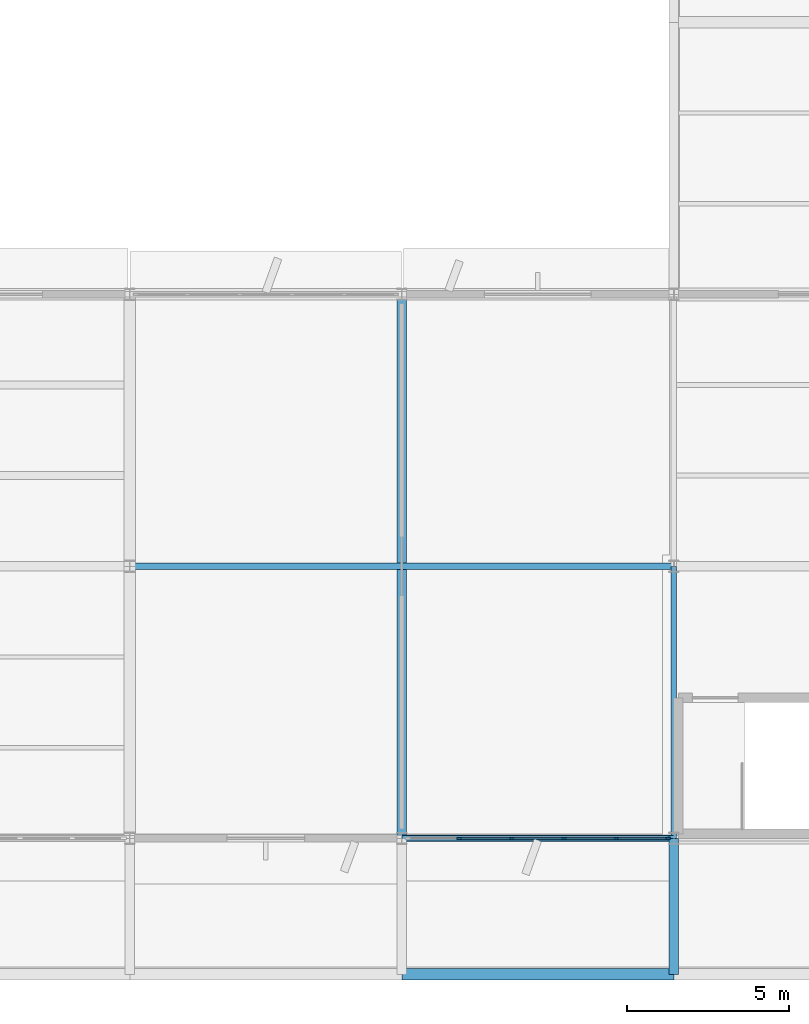
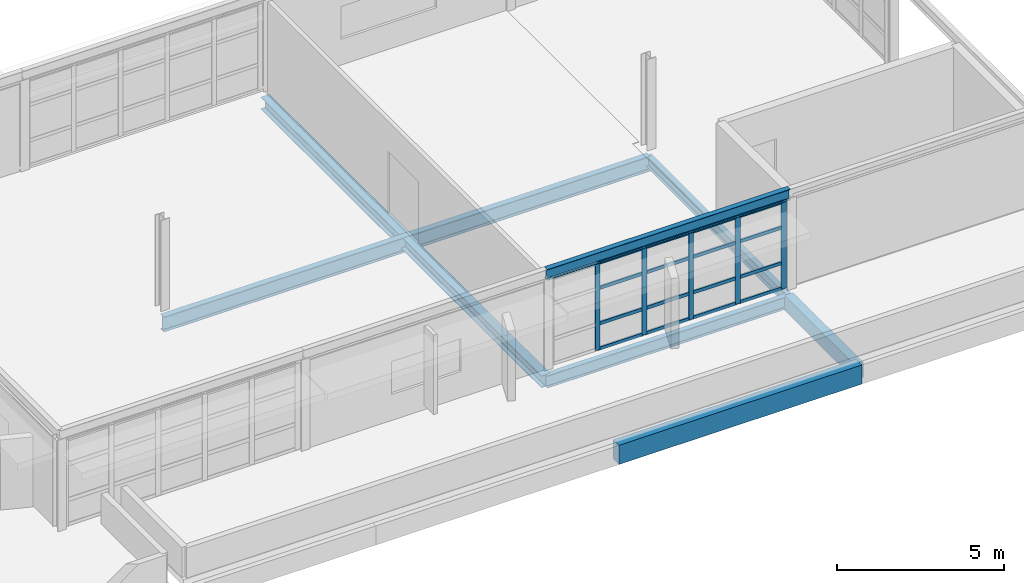
# One storey, part 5 of 92: 21 members, 7 beams, 1 element without a shape of its own.
"""IFC4 building model written with IfcOpenShell, lengths in metres."""

from ifc_helpers import new_model, si_unit, direction, frame, origin, origin_2d, place, context, subcontext, project, spatial, rectangle, i_section, extrude, material, material_profile, profile_set, type_object, element, aggregate, save


model = new_model("IFC4")

# Units and contexts
model_context = context("Model", 3, precision=1e-05, world=origin(), true_north=direction((0.0, 1.0)))
body_context = subcontext(model_context, "Body", "Model", "MODEL_VIEW")
ifc_project = project(units=[si_unit("LENGTHUNIT", "METRE"), si_unit("AREAUNIT", "SQUARE_METRE"), si_unit("VOLUMEUNIT", "CUBIC_METRE"), si_unit("PLANEANGLEUNIT", "RADIAN"), si_unit("MASSUNIT", "GRAM", prefix="KILO")], contexts=[model_context])

# Site, building, storey
site_placement = place(None, origin())
site = spatial("IfcSite", under=ifc_project, at=site_placement, CompositionType="ELEMENT")
building_placement = place(site_placement, origin())
building = spatial("IfcBuilding", under=site, at=building_placement, Name="Vanh Quang Courtyard School", CompositionType="ELEMENT")
storey_placement = place(building_placement, frame((0.0, 0.0, 7.800048828125)))
storey = spatial("IfcBuildingStorey", under=building, at=storey_placement, Name="L02", CompositionType="ELEMENT", Elevation=7.800048828125)

# Beams
ifc_material_1 = material(Name="Concrete C35/45", Category="concrete")
ifc_material_profile_1 = material_profile(ifc_material_1, rectangle(XDim=0.300048828125, YDim=0.550048828125, at=origin_2d()), Name="RC-BM 300x550")
ifc_profile_set_1 = profile_set([ifc_material_profile_1], Name="Concrete C35/45")
beam_type_1 = type_object("IfcBeamType", Name="BM-RC-300x550", PredefinedType="BEAM", material=ifc_profile_set_1)
beam_1_placement = place(storey_placement, frame((29.39990234375, 0.0, -0.554931640625), z_axis=(0.0, 1.0, 0.0), x_axis=(-1.0, 0.0, 0.0)))
element("IfcBeam", 1, at=beam_1_placement, inside=storey, type_object=beam_type_1, Name="Beam B-07 (L02)", PredefinedType="BEAM", context=body_context, shape_type="SweptSolid", body=[
    extrude(rectangle(XDim=0.300048828125, YDim=0.550048828125, at=origin_2d()), origin(), (0.0, 0.0, 1.0), 4.199951171875),
])
ifc_material_profile_2 = material_profile(ifc_material_1, rectangle(XDim=0.35009765625, YDim=0.699951171875, at=origin_2d()), Name="RC-BM 350x700")
ifc_profile_set_2 = profile_set([ifc_material_profile_2], Name="Concrete C35/45")
beam_type_2 = type_object("IfcBeamType", Name="BM-RC-350x700", PredefinedType="BEAM", material=ifc_profile_set_2)
beam_2_placement = place(storey_placement, frame((21.0, 0.0, -0.570068359375), z_axis=(1.0, 0.0, 0.0), x_axis=(0.0, 1.0, 0.0)))
element("IfcBeam", 2, at=beam_2_placement, inside=storey, type_object=beam_type_2, Name="Beam B-04 (L02)", PredefinedType="BEAM", context=body_context, shape_type="SweptSolid", body=[
    extrude(rectangle(XDim=0.35009765625, YDim=0.699951171875, at=origin_2d()), origin(), (0.0, 0.0, 1.0), 8.39990234375),
])
ifc_material_2 = material(Name="Structural steel EN 10025-2 S355J2", Category="steel")
ifc_material_profile_3 = material_profile(ifc_material_2, i_section(OverallWidth=0.300048828125, OverallDepth=0.43994140625, WebThickness=0.011474609375, FlangeThickness=0.02099609375, FilletRadius=0.027099609375, at=origin_2d()), Name="HEA 450")
ifc_profile_set_3 = profile_set([ifc_material_profile_3], Name="Structural steel EN 10025-2 S355J2")
beam_type_3 = type_object("IfcBeamType", Name="BM-STL-HEA450", PredefinedType="BEAM", material=ifc_profile_set_3)
beam_3_placement = place(storey_placement, frame((21.0, 4.199951171875, -0.5), z_axis=(0.0, 1.0, 0.0), x_axis=(-1.0, 0.0, 0.0)))
element("IfcBeam", 3, at=beam_3_placement, inside=storey, type_object=beam_type_3, Name="Beam SB-07 (L02)", PredefinedType="BEAM", context=body_context, shape_type="SweptSolid", body=[
    extrude(i_section(OverallWidth=0.300048828125, OverallDepth=0.43994140625, WebThickness=0.011474609375, FlangeThickness=0.02099609375, FilletRadius=0.027099609375, at=origin_2d()), origin(), (0.0, 0.0, 1.0), 16.800048828125),
])
ifc_material_profile_4 = material_profile(ifc_material_2, i_section(OverallWidth=0.179931640625, OverallDepth=0.39990234375, WebThickness=0.008544921875, FlangeThickness=0.013427734375, FilletRadius=0.02099609375, at=origin_2d()), Name="IPE 400")
ifc_profile_set_4 = profile_set([ifc_material_profile_4], Name="Structural steel EN 10025-2 S355J2")
beam_type_4 = type_object("IfcBeamType", Name="BM-STL-IPE400", PredefinedType="BEAM", material=ifc_profile_set_4)
beam_4_placement = place(storey_placement, frame((29.39990234375, 4.199951171875, -0.47998046875), z_axis=(0.0, 1.0, 0.0), x_axis=(-1.0, 0.0, 0.0)))
element("IfcBeam", 4, at=beam_4_placement, inside=storey, type_object=beam_type_4, Name="Beam SB-05 (L02)", PredefinedType="BEAM", context=body_context, shape_type="SweptSolid", body=[
    extrude(i_section(OverallWidth=0.179931640625, OverallDepth=0.39990234375, WebThickness=0.008544921875, FlangeThickness=0.013427734375, FilletRadius=0.02099609375, at=origin_2d()), origin(), (0.0, 0.0, 1.0), 8.400146484375),
])
beam_5_placement = place(storey_placement, frame((21.0, 4.199951171875, 3.39990234375), z_axis=(1.0, 0.0, 0.0), x_axis=(0.0, 1.0, 0.0)))
element("IfcBeam", 5, at=beam_5_placement, inside=storey, type_object=beam_type_4, Name="Beam SB-05 (L02)", PredefinedType="BEAM", context=body_context, shape_type="SweptSolid", body=[
    extrude(i_section(OverallWidth=0.179931640625, OverallDepth=0.39990234375, WebThickness=0.008544921875, FlangeThickness=0.013427734375, FilletRadius=0.02099609375, at=origin_2d()), origin(), (0.0, 0.0, 1.0), 8.39990234375),
])
ifc_material_profile_5 = material_profile(ifc_material_2, i_section(OverallWidth=0.18994140625, OverallDepth=0.449951171875, WebThickness=0.009521484375, FlangeThickness=0.0146484375, FilletRadius=0.02099609375, at=origin_2d()), Name="IPE 450")
ifc_profile_set_5 = profile_set([ifc_material_profile_5], Name="Structural steel EN 10025-2 S355J2")
beam_type_5 = type_object("IfcBeamType", Name="BM-STL-IPE450", PredefinedType="BEAM", material=ifc_profile_set_5)
beam_6_placement = place(storey_placement, frame((21.0, 4.199951171875, -0.505126953125), z_axis=(1.0, 0.0, 0.0), x_axis=(0.0, 1.0, 0.0)))
element("IfcBeam", 6, at=beam_6_placement, inside=storey, type_object=beam_type_5, Name="Beam SB-04 (L02)", PredefinedType="BEAM", context=body_context, shape_type="SweptSolid", body=[
    extrude(i_section(OverallWidth=0.18994140625, OverallDepth=0.449951171875, WebThickness=0.009521484375, FlangeThickness=0.0146484375, FilletRadius=0.02099609375, at=origin_2d()), origin(), (0.0, 0.0, 1.0), 8.39990234375),
])
ifc_material_profile_6 = material_profile(ifc_material_2, i_section(OverallWidth=0.2099609375, OverallDepth=0.550048828125, WebThickness=0.010986328125, FlangeThickness=0.01708984375, FilletRadius=0.02392578125, at=origin_2d()), Name="IPE 550")
ifc_profile_set_6 = profile_set([ifc_material_profile_6], Name="Structural steel EN 10025-2 S355J2")
beam_type_6 = type_object("IfcBeamType", Name="BM-STL-IPE550", PredefinedType="BEAM", material=ifc_profile_set_6)
beam_7_placement = place(storey_placement, frame((12.60009765625, 12.60009765625, -0.554931640625), z_axis=(1.0, 0.0, 0.0), x_axis=(0.0, 1.0, 0.0)))
element("IfcBeam", 7, at=beam_7_placement, inside=storey, type_object=beam_type_6, Name="Beam SB-02 (L02)", PredefinedType="BEAM", context=body_context, shape_type="SweptSolid", body=[
    extrude(i_section(OverallWidth=0.2099609375, OverallDepth=0.550048828125, WebThickness=0.010986328125, FlangeThickness=0.01708984375, FilletRadius=0.02392578125, at=origin_2d()), origin(), (0.0, 0.0, 1.0), 16.7998046875),
])

# Curtain wall, members
ifc_material_3 = material(Name="Thermally broken aluminium unitised curtain wall", Category="aluminium")
curtain_wall_type = type_object("IfcCurtainWallType", Name="CW-SYS-46", PredefinedType="NOTDEFINED", material=ifc_material_3)
curtain_wall_placement = place(storey_placement, origin())
curtain_wall = element("IfcCurtainWall", 8, at=curtain_wall_placement, inside=storey, type_object=curtain_wall_type, Name="Curtain Wall CW-46 (L02)", PredefinedType="NOTDEFINED")
ifc_material_4 = material(Name="Anodised aluminium 6063-T6", Category="aluminium")
ifc_material_profile_7 = material_profile(ifc_material_4, rectangle(XDim=0.06005859375, YDim=0.159912109375, at=origin_2d()), Name="ALU-MUL 60x160")
ifc_profile_set_7 = profile_set([ifc_material_profile_7], Name="Anodised aluminium 6063-T6")
member_type_1 = type_object("IfcMemberType", Name="CW-MUL-60x160", PredefinedType="MULLION", material=ifc_profile_set_7)
member_1_placement = place(storey_placement, frame((29.2119140625, 4.199951171875, 0.0), z_axis=(0.0, 0.0, 1.0), x_axis=(0.0, -1.0, 0.0)))
member_1 = element("IfcMember", 9, at=member_1_placement, type_object=member_type_1, Name="CW-46 mullion 1", PredefinedType="MULLION", context=body_context, shape_type="SweptSolid", body=[
    extrude(rectangle(XDim=0.06005859375, YDim=0.159912109375, at=origin_2d()), origin(), (0.0, 0.0, 1.0), 3.199951171875),
])
member_2_placement = place(storey_placement, frame((27.625244140625, 4.199951171875, 0.0), z_axis=(0.0, 0.0, 1.0), x_axis=(0.0, -1.0, 0.0)))
member_2 = element("IfcMember", 10, at=member_2_placement, type_object=member_type_1, Name="CW-46 mullion 2", PredefinedType="MULLION", context=body_context, shape_type="SweptSolid", body=[
    extrude(rectangle(XDim=0.06005859375, YDim=0.159912109375, at=origin_2d()), origin(), (0.0, 0.0, 1.0), 3.199951171875),
])
member_3_placement = place(storey_placement, frame((26.00830078125, 4.199951171875, 0.0), z_axis=(0.0, 0.0, 1.0), x_axis=(0.0, -1.0, 0.0)))
member_3 = element("IfcMember", 11, at=member_3_placement, type_object=member_type_1, Name="CW-46 mullion 3", PredefinedType="MULLION", context=body_context, shape_type="SweptSolid", body=[
    extrude(rectangle(XDim=0.06005859375, YDim=0.159912109375, at=origin_2d()), origin(), (0.0, 0.0, 1.0), 3.199951171875),
])
member_4_placement = place(storey_placement, frame((24.3916015625, 4.199951171875, 0.0), z_axis=(0.0, 0.0, 1.0), x_axis=(0.0, -1.0, 0.0)))
member_4 = element("IfcMember", 12, at=member_4_placement, type_object=member_type_1, Name="CW-46 mullion 4", PredefinedType="MULLION", context=body_context, shape_type="SweptSolid", body=[
    extrude(rectangle(XDim=0.06005859375, YDim=0.159912109375, at=origin_2d()), origin(), (0.0, 0.0, 1.0), 3.199951171875),
])
member_5_placement = place(storey_placement, frame((22.77490234375, 4.199951171875, 0.0), z_axis=(0.0, 0.0, 1.0), x_axis=(0.0, -1.0, 0.0)))
member_5 = element("IfcMember", 13, at=member_5_placement, type_object=member_type_1, Name="CW-46 mullion 5", PredefinedType="MULLION", context=body_context, shape_type="SweptSolid", body=[
    extrude(rectangle(XDim=0.06005859375, YDim=0.159912109375, at=origin_2d()), origin(), (0.0, 0.0, 1.0), 3.199951171875),
])
ifc_material_profile_8 = material_profile(ifc_material_4, rectangle(XDim=0.06005859375, YDim=0.1201171875, at=origin_2d()), Name="ALU-TRN 60x120")
ifc_profile_set_8 = profile_set([ifc_material_profile_8], Name="Anodised aluminium 6063-T6")
member_type_2 = type_object("IfcMemberType", Name="CW-TRN-60x120", PredefinedType="USERDEFINED", material=ifc_profile_set_8)
member_6_placement = place(storey_placement, frame((29.181884765625, 4.199951171875, 0.030029296875), z_axis=(-1.0, 0.0, 0.0), x_axis=(0.0, -1.0, 0.0)))
member_6 = element("IfcMember", 14, at=member_6_placement, type_object=member_type_2, Name="CW-46 transom 1.1", ObjectType="TRANSOM", PredefinedType="USERDEFINED", context=body_context, shape_type="SweptSolid", body=[
    extrude(rectangle(XDim=0.06005859375, YDim=0.1201171875, at=origin_2d()), origin(), (0.0, 0.0, 1.0), 1.526611328125),
])
member_7_placement = place(storey_placement, frame((29.181884765625, 4.199951171875, 0.949951171875), z_axis=(-1.0, 0.0, 0.0), x_axis=(0.0, -1.0, 0.0)))
member_7 = element("IfcMember", 15, at=member_7_placement, type_object=member_type_2, Name="CW-46 transom 1.2", ObjectType="TRANSOM", PredefinedType="USERDEFINED", context=body_context, shape_type="SweptSolid", body=[
    extrude(rectangle(XDim=0.06005859375, YDim=0.1201171875, at=origin_2d()), origin(), (0.0, 0.0, 1.0), 1.526611328125),
])
member_8_placement = place(storey_placement, frame((29.181884765625, 4.199951171875, 2.25), z_axis=(-1.0, 0.0, 0.0), x_axis=(0.0, -1.0, 0.0)))
member_8 = element("IfcMember", 16, at=member_8_placement, type_object=member_type_2, Name="CW-46 transom 1.3", ObjectType="TRANSOM", PredefinedType="USERDEFINED", context=body_context, shape_type="SweptSolid", body=[
    extrude(rectangle(XDim=0.06005859375, YDim=0.1201171875, at=origin_2d()), origin(), (0.0, 0.0, 1.0), 1.526611328125),
])
member_9_placement = place(storey_placement, frame((29.181884765625, 4.199951171875, 3.169921875), z_axis=(-1.0, 0.0, 0.0), x_axis=(0.0, -1.0, 0.0)))
member_9 = element("IfcMember", 17, at=member_9_placement, type_object=member_type_2, Name="CW-46 transom 1.4", ObjectType="TRANSOM", PredefinedType="USERDEFINED", context=body_context, shape_type="SweptSolid", body=[
    extrude(rectangle(XDim=0.06005859375, YDim=0.1201171875, at=origin_2d()), origin(), (0.0, 0.0, 1.0), 1.526611328125),
])
member_10_placement = place(storey_placement, frame((27.59521484375, 4.199951171875, 0.030029296875), z_axis=(-1.0, 0.0, 0.0), x_axis=(0.0, -1.0, 0.0)))
member_10 = element("IfcMember", 18, at=member_10_placement, type_object=member_type_2, Name="CW-46 transom 2.1", ObjectType="TRANSOM", PredefinedType="USERDEFINED", context=body_context, shape_type="SweptSolid", body=[
    extrude(rectangle(XDim=0.06005859375, YDim=0.1201171875, at=origin_2d()), origin(), (0.0, 0.0, 1.0), 1.556884765625),
])
member_11_placement = place(storey_placement, frame((27.59521484375, 4.199951171875, 0.949951171875), z_axis=(-1.0, 0.0, 0.0), x_axis=(0.0, -1.0, 0.0)))
member_11 = element("IfcMember", 19, at=member_11_placement, type_object=member_type_2, Name="CW-46 transom 2.2", ObjectType="TRANSOM", PredefinedType="USERDEFINED", context=body_context, shape_type="SweptSolid", body=[
    extrude(rectangle(XDim=0.06005859375, YDim=0.1201171875, at=origin_2d()), origin(), (0.0, 0.0, 1.0), 1.556884765625),
])
member_12_placement = place(storey_placement, frame((27.59521484375, 4.199951171875, 2.25), z_axis=(-1.0, 0.0, 0.0), x_axis=(0.0, -1.0, 0.0)))
member_12 = element("IfcMember", 20, at=member_12_placement, type_object=member_type_2, Name="CW-46 transom 2.3", ObjectType="TRANSOM", PredefinedType="USERDEFINED", context=body_context, shape_type="SweptSolid", body=[
    extrude(rectangle(XDim=0.06005859375, YDim=0.1201171875, at=origin_2d()), origin(), (0.0, 0.0, 1.0), 1.556884765625),
])
member_13_placement = place(storey_placement, frame((27.59521484375, 4.199951171875, 3.169921875), z_axis=(-1.0, 0.0, 0.0), x_axis=(0.0, -1.0, 0.0)))
member_13 = element("IfcMember", 21, at=member_13_placement, type_object=member_type_2, Name="CW-46 transom 2.4", ObjectType="TRANSOM", PredefinedType="USERDEFINED", context=body_context, shape_type="SweptSolid", body=[
    extrude(rectangle(XDim=0.06005859375, YDim=0.1201171875, at=origin_2d()), origin(), (0.0, 0.0, 1.0), 1.556884765625),
])
member_14_placement = place(storey_placement, frame((25.978515625, 4.199951171875, 0.030029296875), z_axis=(-1.0, 0.0, 0.0), x_axis=(0.0, -1.0, 0.0)))
member_14 = element("IfcMember", 22, at=member_14_placement, type_object=member_type_2, Name="CW-46 transom 3.1", ObjectType="TRANSOM", PredefinedType="USERDEFINED", context=body_context, shape_type="SweptSolid", body=[
    extrude(rectangle(XDim=0.06005859375, YDim=0.1201171875, at=origin_2d()), origin(), (0.0, 0.0, 1.0), 1.556884765625),
])
member_15_placement = place(storey_placement, frame((25.978515625, 4.199951171875, 0.949951171875), z_axis=(-1.0, 0.0, 0.0), x_axis=(0.0, -1.0, 0.0)))
member_15 = element("IfcMember", 23, at=member_15_placement, type_object=member_type_2, Name="CW-46 transom 3.2", ObjectType="TRANSOM", PredefinedType="USERDEFINED", context=body_context, shape_type="SweptSolid", body=[
    extrude(rectangle(XDim=0.06005859375, YDim=0.1201171875, at=origin_2d()), origin(), (0.0, 0.0, 1.0), 1.556884765625),
])
member_16_placement = place(storey_placement, frame((25.978515625, 4.199951171875, 2.25), z_axis=(-1.0, 0.0, 0.0), x_axis=(0.0, -1.0, 0.0)))
member_16 = element("IfcMember", 24, at=member_16_placement, type_object=member_type_2, Name="CW-46 transom 3.3", ObjectType="TRANSOM", PredefinedType="USERDEFINED", context=body_context, shape_type="SweptSolid", body=[
    extrude(rectangle(XDim=0.06005859375, YDim=0.1201171875, at=origin_2d()), origin(), (0.0, 0.0, 1.0), 1.556884765625),
])
member_17_placement = place(storey_placement, frame((25.978515625, 4.199951171875, 3.169921875), z_axis=(-1.0, 0.0, 0.0), x_axis=(0.0, -1.0, 0.0)))
member_17 = element("IfcMember", 25, at=member_17_placement, type_object=member_type_2, Name="CW-46 transom 3.4", ObjectType="TRANSOM", PredefinedType="USERDEFINED", context=body_context, shape_type="SweptSolid", body=[
    extrude(rectangle(XDim=0.06005859375, YDim=0.1201171875, at=origin_2d()), origin(), (0.0, 0.0, 1.0), 1.556884765625),
])
member_18_placement = place(storey_placement, frame((24.361572265625, 4.199951171875, 0.030029296875), z_axis=(-1.0, 0.0, 0.0), x_axis=(0.0, -1.0, 0.0)))
member_18 = element("IfcMember", 26, at=member_18_placement, type_object=member_type_2, Name="CW-46 transom 4.1", ObjectType="TRANSOM", PredefinedType="USERDEFINED", context=body_context, shape_type="SweptSolid", body=[
    extrude(rectangle(XDim=0.06005859375, YDim=0.1201171875, at=origin_2d()), origin(), (0.0, 0.0, 1.0), 1.556884765625),
])
member_19_placement = place(storey_placement, frame((24.361572265625, 4.199951171875, 0.949951171875), z_axis=(-1.0, 0.0, 0.0), x_axis=(0.0, -1.0, 0.0)))
member_19 = element("IfcMember", 27, at=member_19_placement, type_object=member_type_2, Name="CW-46 transom 4.2", ObjectType="TRANSOM", PredefinedType="USERDEFINED", context=body_context, shape_type="SweptSolid", body=[
    extrude(rectangle(XDim=0.06005859375, YDim=0.1201171875, at=origin_2d()), origin(), (0.0, 0.0, 1.0), 1.556884765625),
])
member_20_placement = place(storey_placement, frame((24.361572265625, 4.199951171875, 2.25), z_axis=(-1.0, 0.0, 0.0), x_axis=(0.0, -1.0, 0.0)))
member_20 = element("IfcMember", 28, at=member_20_placement, type_object=member_type_2, Name="CW-46 transom 4.3", ObjectType="TRANSOM", PredefinedType="USERDEFINED", context=body_context, shape_type="SweptSolid", body=[
    extrude(rectangle(XDim=0.06005859375, YDim=0.1201171875, at=origin_2d()), origin(), (0.0, 0.0, 1.0), 1.556884765625),
])
member_21_placement = place(storey_placement, frame((24.361572265625, 4.199951171875, 3.169921875), z_axis=(-1.0, 0.0, 0.0), x_axis=(0.0, -1.0, 0.0)))
member_21 = element("IfcMember", 29, at=member_21_placement, type_object=member_type_2, Name="CW-46 transom 4.4", ObjectType="TRANSOM", PredefinedType="USERDEFINED", context=body_context, shape_type="SweptSolid", body=[
    extrude(rectangle(XDim=0.06005859375, YDim=0.1201171875, at=origin_2d()), origin(), (0.0, 0.0, 1.0), 1.556884765625),
])
aggregate(curtain_wall, [member_1, member_2, member_3, member_4, member_5, member_6, member_7, member_8, member_9, member_10, member_11, member_12, member_13, member_14, member_15, member_16, member_17, member_18, member_19, member_20, member_21])

save(model, "model.ifc")
